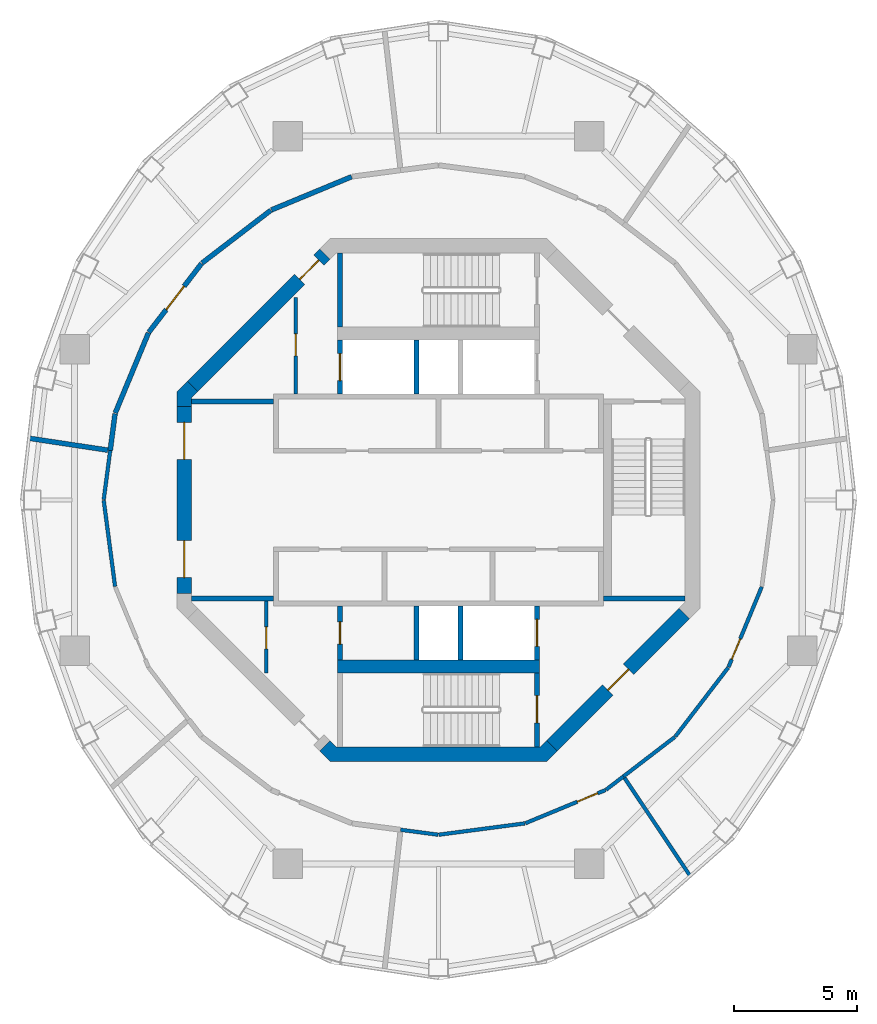
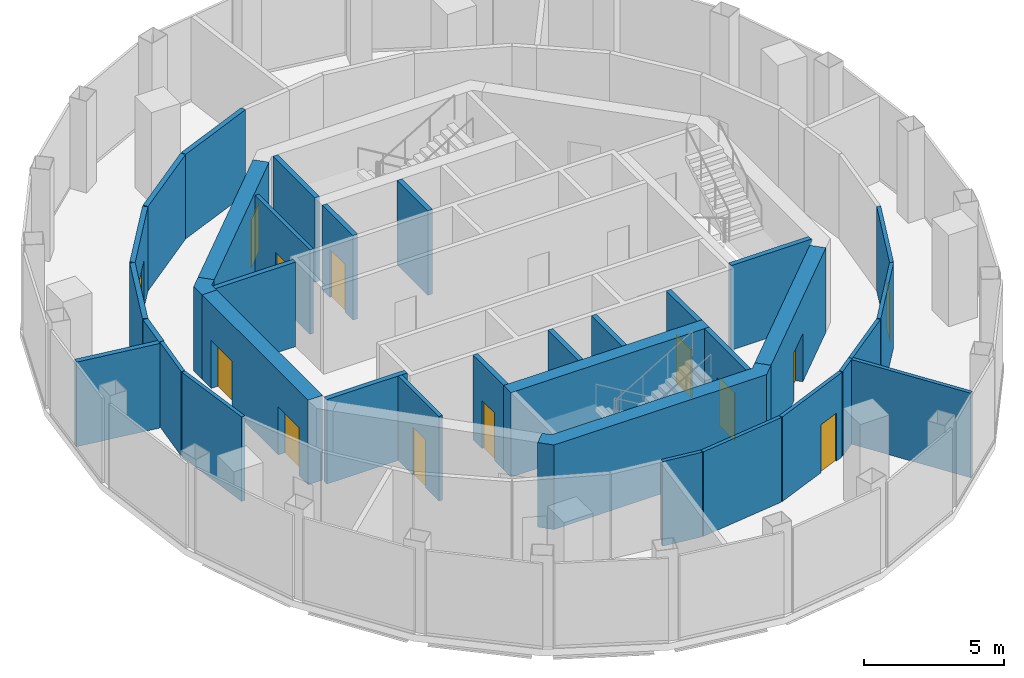
# One storey, part 8 of 11: 35 walls, 13 doors, 13 openings.
"""IFC4 building model written with IfcOpenShell, lengths in metres."""

from ifc_helpers import new_model, si_unit, direction, frame, frame_2d, origin, place, context, subcontext, project, spatial, polyline, rectangle, outline, extrude, material, layer, layer_set, type_object, element, fill, save


model = new_model("IFC4")

# Units and contexts
model_context = context("Model", 3, precision=1e-05, world=origin(), true_north=direction((0.0, 1.0)))
body_context = subcontext(model_context, "Body", "Model", "MODEL_VIEW")
ifc_project = project(units=[si_unit("LENGTHUNIT", "METRE"), si_unit("AREAUNIT", "SQUARE_METRE"), si_unit("VOLUMEUNIT", "CUBIC_METRE"), si_unit("PLANEANGLEUNIT", "RADIAN"), si_unit("MASSUNIT", "GRAM", prefix="KILO")], contexts=[model_context])

# Site, building, storey
site_placement = place(None, origin())
site = spatial("IfcSite", under=ifc_project, at=site_placement, CompositionType="ELEMENT")
building_placement = place(site_placement, origin())
building = spatial("IfcBuilding", under=site, at=building_placement, Name="Nagisa Residences", CompositionType="ELEMENT")
storey_placement = place(building_placement, frame((0.0, 0.0, 332.89990234375)))
storey = spatial("IfcBuildingStorey", under=building, at=storey_placement, Name="L82", CompositionType="ELEMENT", Elevation=332.89990234375)

# Wall, opening, door
ifc_material_1 = material(Name="Gypsum board on steel studs", Category="steel")
ifc_layer_1 = layer(ifc_material_1, 0.14990234375)
ifc_layer_set_1 = layer_set([ifc_layer_1], Name="Core partition 150")
wall_type_1 = type_object("IfcWallType", Name="Core partition 150", PredefinedType="PARTITIONING", material=ifc_layer_set_1)
wall_1_placement = place(storey_placement, frame((-5.800048828125, 4.300048828125, 0.0), z_axis=(0.0, 0.0, 1.0), x_axis=(0.0, 1.0, 0.0)))
wall_1 = element("IfcWall", 1, at=wall_1_placement, inside=storey, type_object=wall_type_1, Name="wall:L82:NWp", PredefinedType="PARTITIONING", context=body_context, shape_type="SweptSolid", body=[
    extrude(rectangle(XDim=3.927001953125, YDim=0.14990234375, at=frame_2d((1.96337890625, 0.0))), origin(), (0.0, 0.0, 1.0), 3.7001953125),
])
opening_1_placement = place(wall_1_placement, frame((1.551025390625, 0.0, 0.0)))
opening_1 = element("IfcOpeningElement", 2, at=opening_1_placement, cuts=wall_1, Name="Opening L82-C07", PredefinedType="OPENING", context=body_context, shape_type="SweptSolid", body=[
    extrude(rectangle(XDim=0.89990234375, YDim=2.10009765625, at=frame_2d((0.449951171875, 1.050048828125))), frame((0.0, 0.0849609375, 0.0), z_axis=(0.0, -1.0, 0.0), x_axis=(1.0, 0.0, 0.0)), (0.0, 0.0, 1.0), 0.169921875),
])
ifc_material_2 = material(Name="Steel fire door", Category="steel")
door_type_1 = type_object("IfcDoorType", Name="Fire door EI30 900x2100 single swing", OperationType="NOTDEFINED", PredefinedType="DOOR", material=ifc_material_2)
door_1_placement = place(opening_1_placement, origin())
door_1 = element("IfcDoor", 3, at=door_1_placement, inside=storey, type_object=door_type_1, Name="Hose reel store door L82", OperationType="SINGLE_SWING_RIGHT", OverallHeight=2.10009765625, OverallWidth=0.89990234375, PredefinedType="DOOR", context=body_context, shape_type="SweptSolid", body=[
    extrude(rectangle(XDim=0.89990234375, YDim=2.10009765625, at=frame_2d((0.449951171875, 1.050048828125))), frame((0.0, 0.02490234375, 0.0), z_axis=(0.0, -1.0, 0.0), x_axis=(1.0, 0.0, 0.0)), (0.0, 0.0, 1.0), 0.050048828125),
])
fill(opening_1, door_1)

wall_2_placement = place(storey_placement, frame((-7.0, -7.02685546875, 0.0), z_axis=(0.0, 0.0, 1.0), x_axis=(0.0, 1.0, 0.0)))
wall_2 = element("IfcWall", 4, at=wall_2_placement, inside=storey, type_object=wall_type_1, Name="wall:L82:SWp", PredefinedType="PARTITIONING", context=body_context, shape_type="SweptSolid", body=[
    extrude(rectangle(XDim=2.9267578125, YDim=0.14990234375, at=frame_2d((1.46337890625, 0.0))), origin(), (0.0, 0.0, 1.0), 3.7001953125),
])
opening_2_placement = place(wall_2_placement, frame((0.97607421875, 0.0, 0.0)))
opening_2 = element("IfcOpeningElement", 5, at=opening_2_placement, cuts=wall_2, Name="Opening L82-C08", PredefinedType="OPENING", context=body_context, shape_type="SweptSolid", body=[
    extrude(rectangle(XDim=0.89990234375, YDim=2.10009765625, at=frame_2d((0.449951171875, 1.050048828125))), frame((0.0, 0.0849609375, 0.0), z_axis=(0.0, -1.0, 0.0), x_axis=(1.0, 0.0, 0.0)), (0.0, 0.0, 1.0), 0.169921875),
])
door_2_placement = place(opening_2_placement, origin())
door_2 = element("IfcDoor", 6, at=door_2_placement, inside=storey, type_object=door_type_1, Name="Valet store door L82", OperationType="SINGLE_SWING_RIGHT", OverallHeight=2.10009765625, OverallWidth=0.89990234375, PredefinedType="DOOR", context=body_context, shape_type="SweptSolid", body=[
    extrude(rectangle(XDim=0.89990234375, YDim=2.10009765625, at=frame_2d((0.449951171875, 1.050048828125))), frame((0.0, 0.02490234375, 0.0), z_axis=(0.0, -1.0, 0.0), x_axis=(1.0, 0.0, 0.0)), (0.0, 0.0, 1.0), 0.050048828125),
])
fill(opening_2, door_2)

# Walls
ifc_material_3 = material(Name="Gypsum board on steel studs", Category="steel")
ifc_layer_2 = layer(ifc_material_3, 0.199951171875)
ifc_layer_set_2 = layer_set([ifc_layer_2], Name="Core partition 200")
wall_type_2 = type_object("IfcWallType", Name="Core partition 200", PredefinedType="PARTITIONING", material=ifc_layer_set_2)
for number, where, z_axis, x_axis, name in (
    (7, (-10.024658203125, -4.0, 0.0), (0.0, 0.0, 1.0), (1.0, 0.0, 0.0), "wall:L82:PSW"),
    (8, (-10.024658203125, 4.0, 0.0), (0.0, 0.0, 1.0), (1.0, 0.0, 0.0), "wall:L82:PNW"),
):
    element("IfcWall", number, at=place(storey_placement, frame(where, z_axis=z_axis, x_axis=x_axis)), inside=storey, type_object=wall_type_2, Name=name, PredefinedType="PARTITIONING", context=body_context, shape_type="SweptSolid", body=[
        extrude(rectangle(XDim=3.32470703125, YDim=0.199951171875, at=frame_2d((1.662353515625, 0.0))), origin(), (0.0, 0.0, 1.0), 3.7001953125),
    ])

# Wall, opening, door
ifc_material_4 = material(Name="Concrete C60", Category="concrete")
ifc_layer_3 = layer(ifc_material_4, 0.60009765625)
ifc_layer_set_3 = layer_set([ifc_layer_3], Name="Core shear wall 600")
wall_type_3 = type_object("IfcWallType", Name="Core shear wall 600", PredefinedType="SHEAR", material=ifc_layer_set_3)
wall_3_placement = place(storey_placement, frame((-4.613037109375, 9.98828125, 0.0), z_axis=(0.0, 0.0, 1.0), x_axis=(-0.707106781187, -0.707106781187, 0.0)))
wall_3 = element("IfcWall", 9, at=wall_3_placement, inside=storey, type_object=wall_type_3, Name="wall:L82:core:flat3", PredefinedType="SHEAR", context=body_context, shape_type="SweptSolid", body=[
    extrude(rectangle(XDim=7.601806640625, YDim=0.60009765625, at=frame_2d((3.80078125, 0.0))), origin(), (0.0, 0.0, 1.0), 3.7001953125),
])
opening_3_placement = place(wall_3_placement, frame((0.350830078125, 0.0, 0.0)))
opening_3 = element("IfcOpeningElement", 10, at=opening_3_placement, cuts=wall_3, Name="Opening L82-C20", PredefinedType="OPENING", context=body_context, shape_type="SweptSolid", body=[
    extrude(rectangle(XDim=1.10009765625, YDim=2.10009765625, at=frame_2d((0.550048828125, 1.050048828125))), frame((0.0, 0.31005859375, 0.0), z_axis=(0.0, -1.0, 0.0), x_axis=(1.0, 0.0, 0.0)), (0.0, 0.0, 1.0), 0.6201171875),
])
ifc_material_5 = material(Name="Steel fire door", Category="steel")
door_type_2 = type_object("IfcDoorType", Name="Fire door EI60 1100x2100 single swing", OperationType="NOTDEFINED", PredefinedType="DOOR", material=ifc_material_5)
door_3_placement = place(opening_3_placement, origin())
door_3 = element("IfcDoor", 11, at=door_3_placement, inside=storey, type_object=door_type_2, Name="Service lobby door L82", OperationType="SINGLE_SWING_RIGHT", OverallHeight=2.10009765625, OverallWidth=1.10009765625, PredefinedType="DOOR", context=body_context, shape_type="SweptSolid", body=[
    extrude(rectangle(XDim=1.10009765625, YDim=2.10009765625, at=frame_2d((0.550048828125, 1.050048828125))), frame((0.0, 0.02490234375, 0.0), z_axis=(0.0, -1.0, 0.0), x_axis=(1.0, 0.0, 0.0)), (0.0, 0.0, 1.0), 0.050048828125),
])
fill(opening_3, door_3)

# Wall, openings, doors
wall_4_placement = place(storey_placement, frame((-10.32470703125, 3.80078125, 0.0), z_axis=(0.0, 0.0, 1.0), x_axis=(0.0, -1.0, 0.0)))
wall_4 = element("IfcWall", 12, at=wall_4_placement, inside=storey, type_object=wall_type_3, Name="wall:L82:core:flat4", PredefinedType="SHEAR", context=body_context, shape_type="SweptSolid", body=[
    extrude(rectangle(XDim=7.6015625, YDim=0.60009765625, at=frame_2d((3.80078125, 0.0))), origin(), (0.0, 0.0, 1.0), 3.7001953125),
])
opening_4_placement = place(wall_4_placement, frame((0.65087890625, 0.0, 0.0)))
opening_4 = element("IfcOpeningElement", 13, at=opening_4_placement, cuts=wall_4, Name="Opening L82-C18", PredefinedType="OPENING", context=body_context, shape_type="SweptSolid", body=[
    extrude(rectangle(XDim=1.5, YDim=2.10009765625, at=frame_2d((0.75, 1.050048828125))), frame((0.0, 0.31005859375, 0.0), z_axis=(0.0, -1.0, 0.0), x_axis=(1.0, 0.0, 0.0)), (0.0, 0.0, 1.0), 0.6201171875),
])
opening_5_placement = place(wall_4_placement, frame((5.450927734375, 0.0, 0.0)))
opening_5 = element("IfcOpeningElement", 14, at=opening_5_placement, cuts=wall_4, Name="Opening L82-C19", PredefinedType="OPENING", context=body_context, shape_type="SweptSolid", body=[
    extrude(rectangle(XDim=1.5, YDim=2.10009765625, at=frame_2d((0.75, 1.050048828125))), frame((0.0, 0.31005859375, 0.0), z_axis=(0.0, -1.0, 0.0), x_axis=(1.0, 0.0, 0.0)), (0.0, 0.0, 1.0), 0.6201171875),
])
ifc_material_6 = material(Name="Steel fire door", Category="steel")
door_type_3 = type_object("IfcDoorType", Name="Fire door EI60 1500x2100 double door single swing", OperationType="DOUBLE_DOOR_SINGLE_SWING", PredefinedType="DOOR", material=ifc_material_6)
door_4_placement = place(opening_4_placement, origin())
door_4 = element("IfcDoor", 15, at=door_4_placement, inside=storey, type_object=door_type_3, Name="Lift lobby door L82 1", OperationType="DOUBLE_DOOR_SINGLE_SWING", OverallHeight=2.10009765625, OverallWidth=1.5, PredefinedType="DOOR", context=body_context, shape_type="SweptSolid", body=[
    extrude(rectangle(XDim=1.5, YDim=2.10009765625, at=frame_2d((0.75, 1.050048828125))), frame((0.0, 0.02490234375, 0.0), z_axis=(0.0, -1.0, 0.0), x_axis=(1.0, 0.0, 0.0)), (0.0, 0.0, 1.0), 0.050048828125),
])
fill(opening_4, door_4)
door_5_placement = place(opening_5_placement, origin())
door_5 = element("IfcDoor", 16, at=door_5_placement, inside=storey, type_object=door_type_3, Name="Lift lobby door L82 2", OperationType="DOUBLE_DOOR_SINGLE_SWING", OverallHeight=2.10009765625, OverallWidth=1.5, PredefinedType="DOOR", context=body_context, shape_type="SweptSolid", body=[
    extrude(rectangle(XDim=1.5, YDim=2.10009765625, at=frame_2d((0.75, 1.050048828125))), frame((0.0, 0.02490234375, 0.0), z_axis=(0.0, -1.0, 0.0), x_axis=(1.0, 0.0, 0.0)), (0.0, 0.0, 1.0), 0.050048828125),
])
fill(opening_5, door_5)

# Wall, opening, door
wall_5_placement = place(storey_placement, frame((4.613037109375, -9.98828125, 0.0), z_axis=(0.0, 0.0, 1.0), x_axis=(0.707106781187, 0.707106781187, 0.0)))
wall_5 = element("IfcWall", 17, at=wall_5_placement, inside=storey, type_object=wall_type_3, Name="wall:L82:core:flat7", PredefinedType="SHEAR", context=body_context, shape_type="SweptSolid", body=[
    extrude(rectangle(XDim=7.601806640625, YDim=0.60009765625, at=frame_2d((3.80078125, 0.0))), origin(), (0.0, 0.0, 1.0), 3.7001953125),
])
opening_6_placement = place(wall_5_placement, frame((3.200927734375, 0.0, 0.0)))
opening_6 = element("IfcOpeningElement", 18, at=opening_6_placement, cuts=wall_5, Name="Opening L82-C17", PredefinedType="OPENING", context=body_context, shape_type="SweptSolid", body=[
    extrude(rectangle(XDim=1.199951171875, YDim=2.10009765625, at=frame_2d((0.60009765625, 1.050048828125))), frame((0.0, 0.31005859375, 0.0), z_axis=(0.0, -1.0, 0.0), x_axis=(1.0, 0.0, 0.0)), (0.0, 0.0, 1.0), 0.6201171875),
])
ifc_material_7 = material(Name="Steel fire door", Category="steel")
door_type_4 = type_object("IfcDoorType", Name="Fire door EI60 1200x2100 single swing", OperationType="NOTDEFINED", PredefinedType="DOOR", material=ifc_material_7)
door_6_placement = place(opening_6_placement, origin())
door_6 = element("IfcDoor", 19, at=door_6_placement, inside=storey, type_object=door_type_4, Name="Firefighting lobby 2 door L82", OperationType="SINGLE_SWING_RIGHT", OverallHeight=2.10009765625, OverallWidth=1.199951171875, PredefinedType="DOOR", context=body_context, shape_type="SweptSolid", body=[
    extrude(rectangle(XDim=1.199951171875, YDim=2.10009765625, at=frame_2d((0.60009765625, 1.050048828125))), frame((0.0, 0.02490234375, 0.0), z_axis=(0.0, -1.0, 0.0), x_axis=(1.0, 0.0, 0.0)), (0.0, 0.0, 1.0), 0.050048828125),
])
fill(opening_6, door_6)

# Walls
wall_6_placement = place(storey_placement, origin())
element("IfcWall", 20, at=wall_6_placement, inside=storey, type_object=wall_type_3, Name="wall:L82:core:pier3", PredefinedType="SHEAR", context=body_context, shape_type="SweptSolid", body=[
    extrude(outline(polyline([(-10.200439453125, 4.8251953125), (-9.776123046875, 4.40087890625), (-10.024658203125, 4.15234375), (-10.024658203125, 3.80078125), (-10.62451171875, 3.80078125), (-10.62451171875, 4.40087890625), (-10.200439453125, 4.8251953125)])), origin(), (0.0, 0.0, 1.0), 3.7001953125),
])
wall_7_placement = place(storey_placement, origin())
element("IfcWall", 21, at=wall_7_placement, inside=storey, type_object=wall_type_3, Name="wall:L82:core:flat6", PredefinedType="SHEAR", context=body_context, shape_type="SweptSolid", body=[
    extrude(outline(polyline([(-4.15234375, -10.024658203125), (4.15234375, -10.024658203125), (4.40087890625, -9.776123046875), (4.8251953125, -10.200439453125), (4.40087890625, -10.62451171875), (-4.40087890625, -10.62451171875), (-4.8251953125, -10.200439453125), (-4.40087890625, -9.776123046875), (-4.15234375, -10.024658203125)])), origin(), (0.0, 0.0, 1.0), 3.7001953125),
])

# Wall, opening, door
ifc_material_8 = material(Name="Concrete C60", Category="concrete")
ifc_layer_4 = layer(ifc_material_8, 0.199951171875)
ifc_layer_set_4 = layer_set([ifc_layer_4], Name="Lift shaft wall 200")
wall_type_4 = type_object("IfcWallType", Name="Lift shaft wall 200", PredefinedType="SOLIDWALL", material=ifc_layer_set_4)
wall_8_placement = place(storey_placement, frame((-4.0, 4.300048828125, 0.0), z_axis=(0.0, 0.0, 1.0), x_axis=(0.0, 1.0, 0.0)))
wall_8 = element("IfcWall", 22, at=wall_8_placement, inside=storey, type_object=wall_type_4, Name="wall:L82:Nb4", PredefinedType="SOLIDWALL", context=body_context, shape_type="SweptSolid", body=[
    extrude(rectangle(XDim=2.199951171875, YDim=0.199951171875, at=frame_2d((1.10009765625, 0.0))), origin(), (0.0, 0.0, 1.0), 3.7001953125),
])
opening_7_placement = place(wall_8_placement, frame((0.550048828125, 0.0, 0.0)))
opening_7 = element("IfcOpeningElement", 23, at=opening_7_placement, cuts=wall_8, Name="Opening L82-C03", PredefinedType="OPENING", context=body_context, shape_type="SweptSolid", body=[
    extrude(rectangle(XDim=1.10009765625, YDim=2.10009765625, at=frame_2d((0.550048828125, 1.050048828125))), frame((0.0, 0.10986328125, 0.0), z_axis=(0.0, -1.0, 0.0), x_axis=(1.0, 0.0, 0.0)), (0.0, 0.0, 1.0), 0.219970703125),
])
ifc_material_9 = material(Name="Stainless steel", Category="steel")
door_type_5 = type_object("IfcDoorType", Name="Lift landing door 1100x2100", OperationType="DOUBLE_DOOR_SLIDING", PredefinedType="DOOR", material=ifc_material_9)
door_7_placement = place(opening_7_placement, origin())
door_7 = element("IfcDoor", 24, at=door_7_placement, inside=storey, type_object=door_type_5, Name="Landing door SV L82", OperationType="DOUBLE_DOOR_SLIDING", OverallHeight=2.10009765625, OverallWidth=1.10009765625, PredefinedType="DOOR", context=body_context, shape_type="SweptSolid", body=[
    extrude(rectangle(XDim=1.10009765625, YDim=2.10009765625, at=frame_2d((0.550048828125, 1.050048828125))), frame((0.0, 0.02490234375, 0.0), z_axis=(0.0, -1.0, 0.0), x_axis=(1.0, 0.0, 0.0)), (0.0, 0.0, 1.0), 0.050048828125),
])
fill(opening_7, door_7)

wall_9_placement = place(storey_placement, frame((4.0, -6.5, 0.0), z_axis=(0.0, 0.0, 1.0), x_axis=(0.0, 1.0, 0.0)))
wall_9 = element("IfcWall", 25, at=wall_9_placement, inside=storey, type_object=wall_type_4, Name="wall:L82:Sb3", PredefinedType="SOLIDWALL", context=body_context, shape_type="SweptSolid", body=[
    extrude(rectangle(XDim=2.199951171875, YDim=0.199951171875, at=frame_2d((1.10009765625, 0.0))), origin(), (0.0, 0.0, 1.0), 3.7001953125),
])
opening_8_placement = place(wall_9_placement, frame((0.550048828125, 0.0, 0.0)))
opening_8 = element("IfcOpeningElement", 26, at=opening_8_placement, cuts=wall_9, Name="Opening L82-C02", PredefinedType="OPENING", context=body_context, shape_type="SweptSolid", body=[
    extrude(rectangle(XDim=1.10009765625, YDim=2.10009765625, at=frame_2d((0.550048828125, 1.050048828125))), frame((0.0, 0.10986328125, 0.0), z_axis=(0.0, -1.0, 0.0), x_axis=(1.0, 0.0, 0.0)), (0.0, 0.0, 1.0), 0.219970703125),
])
door_8_placement = place(opening_8_placement, origin())
door_8 = element("IfcDoor", 27, at=door_8_placement, inside=storey, type_object=door_type_5, Name="Landing door FL2 L82", OperationType="DOUBLE_DOOR_SLIDING", OverallHeight=2.10009765625, OverallWidth=1.10009765625, PredefinedType="DOOR", context=body_context, shape_type="SweptSolid", body=[
    extrude(rectangle(XDim=1.10009765625, YDim=2.10009765625, at=frame_2d((0.550048828125, 1.050048828125))), frame((0.0, 0.02490234375, 0.0), z_axis=(0.0, -1.0, 0.0), x_axis=(1.0, 0.0, 0.0)), (0.0, 0.0, 1.0), 0.050048828125),
])
fill(opening_8, door_8)

wall_10_placement = place(storey_placement, frame((-4.0, -6.5, 0.0), z_axis=(0.0, 0.0, 1.0), x_axis=(0.0, 1.0, 0.0)))
wall_10 = element("IfcWall", 28, at=wall_10_placement, inside=storey, type_object=wall_type_4, Name="wall:L82:Sb4", PredefinedType="SOLIDWALL", context=body_context, shape_type="SweptSolid", body=[
    extrude(rectangle(XDim=2.199951171875, YDim=0.199951171875, at=frame_2d((1.10009765625, 0.0))), origin(), (0.0, 0.0, 1.0), 3.7001953125),
])
opening_9_placement = place(wall_10_placement, frame((0.64990234375, 0.0, 0.0)))
opening_9 = element("IfcOpeningElement", 29, at=opening_9_placement, cuts=wall_10, Name="Opening L82-C09", PredefinedType="OPENING", context=body_context, shape_type="SweptSolid", body=[
    extrude(rectangle(XDim=0.89990234375, YDim=2.10009765625, at=frame_2d((0.449951171875, 1.050048828125))), frame((0.0, 0.10986328125, 0.0), z_axis=(0.0, -1.0, 0.0), x_axis=(1.0, 0.0, 0.0)), (0.0, 0.0, 1.0), 0.219970703125),
])
door_9_placement = place(opening_9_placement, frame((0.89990234375, 0.0, 0.0), x_axis=(-1.0, 0.0, 0.0)))
door_9 = element("IfcDoor", 30, at=door_9_placement, inside=storey, type_object=door_type_1, Name="Refuse room door L82", OperationType="SINGLE_SWING_RIGHT", OverallHeight=2.10009765625, OverallWidth=0.89990234375, PredefinedType="DOOR", context=body_context, shape_type="SweptSolid", body=[
    extrude(rectangle(XDim=0.89990234375, YDim=2.10009765625, at=frame_2d((0.449951171875, 1.050048828125))), frame((0.0, 0.02490234375, 0.0), z_axis=(0.0, -1.0, 0.0), x_axis=(1.0, 0.0, 0.0)), (0.0, 0.0, 1.0), 0.050048828125),
])
fill(opening_9, door_9)

# Walls
for number, where, z_axis, x_axis, name in (
    (31, (-0.89990234375, -6.5, 0.0), (0.0, 0.0, 1.0), (0.0, 1.0, 0.0), "wall:L82:Sb1"),
    (32, (0.89990234375, -6.5, 0.0), (0.0, 0.0, 1.0), (0.0, 1.0, 0.0), "wall:L82:Sb2"),
    (33, (-0.89990234375, 4.300048828125, 0.0), (0.0, 0.0, 1.0), (0.0, 1.0, 0.0), "wall:L82:Nb1"),
):
    element("IfcWall", number, at=place(storey_placement, frame(where, z_axis=z_axis, x_axis=x_axis)), inside=storey, type_object=wall_type_4, Name=name, PredefinedType="SOLIDWALL", context=body_context, shape_type="SweptSolid", body=[
        extrude(rectangle(XDim=2.199951171875, YDim=0.199951171875, at=frame_2d((1.10009765625, 0.0))), origin(), (0.0, 0.0, 1.0), 3.7001953125),
    ])
ifc_material_10 = material(Name="Gypsum board on steel studs", Category="steel")
ifc_layer_5 = layer(ifc_material_10, 0.199951171875)
ifc_layer_set_5 = layer_set([ifc_layer_5], Name="Plant room wall EI120 200")
wall_type_5 = type_object("IfcWallType", Name="Plant room wall EI120 200", PredefinedType="PARTITIONING", material=ifc_layer_set_5)
wall_11_placement = place(storey_placement, frame((-16.61181640625, 2.504638671875, 0.0), z_axis=(0.0, 0.0, 1.0), x_axis=(0.988817905908, -0.149127961685, 0.0)))
element("IfcWall", 34, at=wall_11_placement, inside=storey, type_object=wall_type_5, Name="wall:L82:am014", PredefinedType="PARTITIONING", context=body_context, shape_type="SweptSolid", body=[
    extrude(rectangle(XDim=3.213623046875, YDim=0.199951171875, at=frame_2d((1.60693359375, 0.0))), origin(), (0.0, 0.0, 1.0), 3.7001953125),
])
wall_12_placement = place(storey_placement, frame((-13.335205078125, 2.010498046875, 0.0), z_axis=(0.0, 0.0, 1.0), x_axis=(0.130391662061, 0.99146256332, 0.0)))
element("IfcWall", 35, at=wall_12_placement, inside=storey, type_object=wall_type_5, Name="wall:L82:am015", PredefinedType="PARTITIONING", context=body_context, shape_type="SweptSolid", body=[
    extrude(rectangle(XDim=1.50732421875, YDim=0.199951171875, at=frame_2d((0.753662109375, 0.0))), origin(), (0.0, 0.0, 1.0), 3.7001953125),
])
wall_13_placement = place(storey_placement, frame((-13.130859375, 3.533935546875, 0.0), z_axis=(0.0, 0.0, 1.0), x_axis=(0.382723413813, 0.92386297064, 0.0)))
element("IfcWall", 36, at=wall_13_placement, inside=storey, type_object=wall_type_5, Name="wall:L82:am016", PredefinedType="PARTITIONING", context=body_context, shape_type="SweptSolid", body=[
    extrude(rectangle(XDim=3.52001953125, YDim=0.199951171875, at=frame_2d((1.760009765625, 0.0))), origin(), (0.0, 0.0, 1.0), 3.7001953125),
])

# Wall, opening, door
wall_14_placement = place(storey_placement, frame((-11.7685546875, 6.81201171875, 0.0), z_axis=(0.0, 0.0, 1.0), x_axis=(0.608697977542, 0.793402024283, 0.0)))
wall_14 = element("IfcWall", 37, at=wall_14_placement, inside=storey, type_object=wall_type_5, Name="wall:L82:am017", PredefinedType="PARTITIONING", context=body_context, shape_type="SweptSolid", body=[
    extrude(rectangle(XDim=3.52001953125, YDim=0.199951171875, at=frame_2d((1.760009765625, 0.0))), origin(), (0.0, 0.0, 1.0), 3.7001953125),
])
opening_10_placement = place(wall_14_placement, frame((1.159912109375, 0.0, 0.0)))
opening_10 = element("IfcOpeningElement", 38, at=opening_10_placement, cuts=wall_14, Name="Opening L82-A03", PredefinedType="OPENING", context=body_context, shape_type="SweptSolid", body=[
    extrude(rectangle(XDim=1.199951171875, YDim=2.10009765625, at=frame_2d((0.60009765625, 1.050048828125))), frame((0.0, 0.10986328125, 0.0), z_axis=(0.0, -1.0, 0.0), x_axis=(1.0, 0.0, 0.0)), (0.0, 0.0, 1.0), 0.219970703125),
])
ifc_material_11 = material(Name="Steel fire door", Category="steel")
door_type_6 = type_object("IfcDoorType", Name="Fire door EI120 1200x2100 single swing", OperationType="NOTDEFINED", PredefinedType="DOOR", material=ifc_material_11)
door_10_placement = place(opening_10_placement, frame((1.199951171875, 0.0, 0.0), x_axis=(-1.0, 0.0, 0.0)))
door_10 = element("IfcDoor", 39, at=door_10_placement, inside=storey, type_object=door_type_6, Name="Boiler room door", OperationType="SINGLE_SWING_RIGHT", OverallHeight=2.10009765625, OverallWidth=1.199951171875, PredefinedType="DOOR", context=body_context, shape_type="SweptSolid", body=[
    extrude(rectangle(XDim=1.199951171875, YDim=2.10009765625, at=frame_2d((0.60009765625, 1.050048828125))), frame((0.0, 0.02490234375, 0.0), z_axis=(0.0, -1.0, 0.0), x_axis=(1.0, 0.0, 0.0)), (0.0, 0.0, 1.0), 0.050048828125),
])
fill(opening_10, door_10)

# Walls
for number, where, z_axis, x_axis, name in (
    (40, (-9.604736328125, 9.6259765625, 0.0), (0.0, 0.0, 1.0), (0.793402024283, 0.608697977542, 0.0), "wall:L82:am020"),
    (41, (-6.785888671875, 11.78369140625, 0.0), (0.0, 0.0, 1.0), (0.92386297064, 0.382723413813, 0.0), "wall:L82:am022"),
):
    element("IfcWall", number, at=place(storey_placement, frame(where, z_axis=z_axis, x_axis=x_axis)), inside=storey, type_object=wall_type_5, Name=name, PredefinedType="PARTITIONING", context=body_context, shape_type="SweptSolid", body=[
        extrude(rectangle(XDim=3.52001953125, YDim=0.199951171875, at=frame_2d((1.760009765625, 0.0))), origin(), (0.0, 0.0, 1.0), 3.7001953125),
    ])
ifc_material_12 = material(Name="Gypsum board on steel studs", Category="steel")
ifc_layer_6 = layer(ifc_material_12, 0.14990234375)
ifc_layer_set_6 = layer_set([ifc_layer_6], Name="Room partition EI60 150")
wall_type_6 = type_object("IfcWallType", Name="Room partition EI60 150", PredefinedType="PARTITIONING", material=ifc_layer_set_6)
wall_15_placement = place(storey_placement, frame((-13.598388671875, 0.01171875, 0.0), z_axis=(0.0, 0.0, 1.0), x_axis=(0.130545357325, 0.991442338051, 0.0)))
element("IfcWall", 42, at=wall_15_placement, inside=storey, type_object=wall_type_6, Name="wall:L82:am000", PredefinedType="PARTITIONING", context=body_context, shape_type="SweptSolid", body=[
    extrude(rectangle(XDim=2.01611328125, YDim=0.14990234375, at=frame_2d((1.008056640625, 0.0))), origin(), (0.0, 0.0, 1.0), 3.7001953125),
])
wall_16_placement = place(storey_placement, frame((-13.13818359375, -3.508056640625, 0.0), z_axis=(0.0, 0.0, 1.0), x_axis=(-0.130499283623, 0.991448403586, 0.0)))
element("IfcWall", 43, at=wall_16_placement, inside=storey, type_object=wall_type_6, Name="wall:L82:am001", PredefinedType="PARTITIONING", context=body_context, shape_type="SweptSolid", body=[
    extrude(rectangle(XDim=3.526611328125, YDim=0.14990234375, at=frame_2d((1.76318359375, 0.0))), origin(), (0.0, 0.0, 1.0), 3.7001953125),
])
wall_17_placement = place(storey_placement, frame((-0.01171875, -13.598388671875, 0.0), z_axis=(0.0, 0.0, 1.0), x_axis=(-0.991446737275, 0.130511942543, 0.0)))
element("IfcWall", 44, at=wall_17_placement, inside=storey, type_object=wall_type_6, Name="wall:L82:am004", PredefinedType="PARTITIONING", context=body_context, shape_type="SweptSolid", body=[
    extrude(rectangle(XDim=1.53955078125, YDim=0.14990234375, at=frame_2d((0.769775390625, 0.0))), origin(), (0.0, 0.0, 1.0), 3.7001953125),
])
wall_18_placement = place(storey_placement, frame((3.508056640625, -13.13818359375, 0.0), z_axis=(0.0, 0.0, 1.0), x_axis=(-0.991448403586, -0.130499283623, 0.0)))
element("IfcWall", 45, at=wall_18_placement, inside=storey, type_object=wall_type_6, Name="wall:L82:am005", PredefinedType="PARTITIONING", context=body_context, shape_type="SweptSolid", body=[
    extrude(rectangle(XDim=3.526611328125, YDim=0.14990234375, at=frame_2d((1.76318359375, 0.0))), origin(), (0.0, 0.0, 1.0), 3.7001953125),
])

# Wall, opening, door
wall_19_placement = place(storey_placement, frame((6.7890625, -11.782470703125, 0.0), z_axis=(0.0, 0.0, 1.0), x_axis=(-0.923881838111, -0.382677866108, 0.0)))
wall_19 = element("IfcWall", 46, at=wall_19_placement, inside=storey, type_object=wall_type_6, Name="wall:L82:am006", PredefinedType="PARTITIONING", context=body_context, shape_type="SweptSolid", body=[
    extrude(rectangle(XDim=3.52685546875, YDim=0.14990234375, at=frame_2d((1.763427734375, 0.0))), origin(), (0.0, 0.0, 1.0), 3.7001953125),
])
opening_11_placement = place(wall_19_placement, frame((0.345703125, 0.0, 0.0)))
opening_11 = element("IfcOpeningElement", 47, at=opening_11_placement, cuts=wall_19, Name="Opening L82-A06", PredefinedType="OPENING", context=body_context, shape_type="SweptSolid", body=[
    extrude(rectangle(XDim=0.89990234375, YDim=2.10009765625, at=frame_2d((0.449951171875, 1.050048828125))), frame((0.0, 0.0849609375, 0.0), z_axis=(0.0, -1.0, 0.0), x_axis=(1.0, 0.0, 0.0)), (0.0, 0.0, 1.0), 0.169921875),
])
door_11_placement = place(opening_11_placement, origin())
door_11 = element("IfcDoor", 48, at=door_11_placement, inside=storey, type_object=door_type_1, Name="Fuel store door", OperationType="SINGLE_SWING_RIGHT", OverallHeight=2.10009765625, OverallWidth=0.89990234375, PredefinedType="DOOR", context=body_context, shape_type="SweptSolid", body=[
    extrude(rectangle(XDim=0.89990234375, YDim=2.10009765625, at=frame_2d((0.449951171875, 1.050048828125))), frame((0.0, 0.02490234375, 0.0), z_axis=(0.0, -1.0, 0.0), x_axis=(1.0, 0.0, 0.0)), (0.0, 0.0, 1.0), 0.050048828125),
])
fill(opening_11, door_11)

# Walls
wall_20_placement = place(storey_placement, frame((7.5166015625, -11.22802734375, 0.0), z_axis=(0.0, 0.0, 1.0), x_axis=(-0.79334623579, -0.608770687663, 0.0)))
element("IfcWall", 49, at=wall_20_placement, inside=storey, type_object=wall_type_6, Name="wall:L82:am007", PredefinedType="PARTITIONING", context=body_context, shape_type="SweptSolid", body=[
    extrude(rectangle(XDim=0.8916015625, YDim=0.14990234375, at=frame_2d((0.44580078125, 0.0))), origin(), (0.0, 0.0, 1.0), 3.7001953125),
])
wall_21_placement = place(storey_placement, frame((7.558349609375, -11.29052734375, 0.0), z_axis=(0.0, 0.0, 1.0), x_axis=(0.55629544905, -0.830984580703, 0.0)))
element("IfcWall", 50, at=wall_21_placement, inside=storey, type_object=wall_type_6, Name="wall:L82:am008", PredefinedType="PARTITIONING", context=body_context, shape_type="SweptSolid", body=[
    extrude(rectangle(XDim=4.764892578125, YDim=0.14990234375, at=frame_2d((2.38232421875, 0.0))), origin(), (0.0, 0.0, 1.0), 3.7001953125),
])
wall_22_placement = place(storey_placement, frame((9.607177734375, -9.6240234375, 0.0), z_axis=(0.0, 0.0, 1.0), x_axis=(-0.793381127635, -0.608725214126, 0.0)))
element("IfcWall", 51, at=wall_22_placement, inside=storey, type_object=wall_type_6, Name="wall:L82:am009", PredefinedType="PARTITIONING", context=body_context, shape_type="SweptSolid", body=[
    extrude(rectangle(XDim=2.635009765625, YDim=0.14990234375, at=frame_2d((1.3173828125, 0.0))), origin(), (0.0, 0.0, 1.0), 3.7001953125),
])
wall_23_placement = place(storey_placement, frame((11.770751953125, -6.809326171875, 0.0), z_axis=(0.0, 0.0, 1.0), x_axis=(-0.608736710054, -0.793372307201, 0.0)))
element("IfcWall", 52, at=wall_23_placement, inside=storey, type_object=wall_type_6, Name="wall:L82:am010", PredefinedType="PARTITIONING", context=body_context, shape_type="SweptSolid", body=[
    extrude(rectangle(XDim=3.526611328125, YDim=0.14990234375, at=frame_2d((1.76318359375, 0.0))), origin(), (0.0, 0.0, 1.0), 3.7001953125),
])

# Wall, opening, door
wall_24_placement = place(storey_placement, frame((13.132080078125, -3.53076171875, 0.0), z_axis=(0.0, 0.0, 1.0), x_axis=(-0.382677866108, -0.923881838111, 0.0)))
wall_24 = element("IfcWall", 53, at=wall_24_placement, inside=storey, type_object=wall_type_6, Name="wall:L82:am011", PredefinedType="PARTITIONING", context=body_context, shape_type="SweptSolid", body=[
    extrude(rectangle(XDim=3.52685546875, YDim=0.14990234375, at=frame_2d((1.763427734375, 0.0))), origin(), (0.0, 0.0, 1.0), 3.7001953125),
])
opening_12_placement = place(wall_24_placement, frame((2.281005859375, 0.0, 0.0)))
opening_12 = element("IfcOpeningElement", 54, at=opening_12_placement, cuts=wall_24, Name="Opening L82-A07", PredefinedType="OPENING", context=body_context, shape_type="SweptSolid", body=[
    extrude(rectangle(XDim=0.89990234375, YDim=2.10009765625, at=frame_2d((0.449951171875, 1.050048828125))), frame((0.0, 0.0849609375, 0.0), z_axis=(0.0, -1.0, 0.0), x_axis=(1.0, 0.0, 0.0)), (0.0, 0.0, 1.0), 0.169921875),
])
door_12_placement = place(opening_12_placement, origin())
door_12 = element("IfcDoor", 55, at=door_12_placement, inside=storey, type_object=door_type_1, Name="Plant tool store door", OperationType="SINGLE_SWING_LEFT", OverallHeight=2.10009765625, OverallWidth=0.89990234375, PredefinedType="DOOR", context=body_context, shape_type="SweptSolid", body=[
    extrude(rectangle(XDim=0.89990234375, YDim=2.10009765625, at=frame_2d((0.449951171875, 1.050048828125))), frame((0.0, 0.02490234375, 0.0), z_axis=(0.0, -1.0, 0.0), x_axis=(1.0, 0.0, 0.0)), (0.0, 0.0, 1.0), 0.050048828125),
])
fill(opening_12, door_12)

ifc_material_13 = material(Name="Concrete C60", Category="concrete")
ifc_layer_7 = layer(ifc_material_13, 0.199951171875)
ifc_layer_set_7 = layer_set([ifc_layer_7], Name="Stair enclosure wall 200")
wall_type_7 = type_object("IfcWallType", Name="Stair enclosure wall 200", PredefinedType="SOLIDWALL", material=ifc_layer_set_7)
wall_25_placement = place(storey_placement, frame((4.0, -10.024658203125, 0.0), z_axis=(0.0, 0.0, 1.0), x_axis=(0.0, 1.0, 0.0)))
wall_25 = element("IfcWall", 56, at=wall_25_placement, inside=storey, type_object=wall_type_7, Name="wall:L82:SS_e", PredefinedType="SOLIDWALL", context=body_context, shape_type="SweptSolid", body=[
    extrude(rectangle(XDim=3.0, YDim=0.199951171875, at=frame_2d((1.5, 0.0))), origin(), (0.0, 0.0, 1.0), 3.7001953125),
])
opening_13_placement = place(wall_25_placement, frame((0.974609375, 0.0, 0.0)))
opening_13 = element("IfcOpeningElement", 57, at=opening_13_placement, cuts=wall_25, Name="Opening L82-C06", PredefinedType="OPENING", context=body_context, shape_type="SweptSolid", body=[
    extrude(rectangle(XDim=1.10009765625, YDim=2.10009765625, at=frame_2d((0.550048828125, 1.050048828125))), frame((0.0, 0.10986328125, 0.0), z_axis=(0.0, -1.0, 0.0), x_axis=(1.0, 0.0, 0.0)), (0.0, 0.0, 1.0), 0.219970703125),
])
ifc_material_14 = material(Name="Steel fire door", Category="steel")
door_type_7 = type_object("IfcDoorType", Name="Fire door EI90 1100x2100 single swing", OperationType="NOTDEFINED", PredefinedType="DOOR", material=ifc_material_14)
door_13_placement = place(opening_13_placement, origin())
door_13 = element("IfcDoor", 58, at=door_13_placement, inside=storey, type_object=door_type_7, Name="Stair door ST-S L82", OperationType="SINGLE_SWING_RIGHT", OverallHeight=2.10009765625, OverallWidth=1.10009765625, PredefinedType="DOOR", context=body_context, shape_type="SweptSolid", body=[
    extrude(rectangle(XDim=1.10009765625, YDim=2.10009765625, at=frame_2d((0.550048828125, 1.050048828125))), frame((0.0, 0.02490234375, 0.0), z_axis=(0.0, -1.0, 0.0), x_axis=(1.0, 0.0, 0.0)), (0.0, 0.0, 1.0), 0.050048828125),
])
fill(opening_13, door_13)

# Walls
wall_26_placement = place(storey_placement, origin())
element("IfcWall", 59, at=wall_26_placement, inside=storey, type_object=wall_type_7, Name="wall:L82:SN_w", PredefinedType="SOLIDWALL", context=body_context, shape_type="SweptSolid", body=[
    extrude(outline(polyline([(-3.89990234375, 7.024658203125), (-4.10009765625, 7.024658203125), (-4.10009765625, 10.024658203125), (-3.89990234375, 10.024658203125), (-3.89990234375, 7.024658203125)])), origin(), (0.0, 0.0, 1.0), 3.7001953125),
])
wall_27_placement = place(storey_placement, origin())
element("IfcWall", 60, at=wall_27_placement, inside=storey, type_object=wall_type_7, Name="wall:L82:SS_n", PredefinedType="SOLIDWALL", context=body_context, shape_type="SweptSolid", body=[
    extrude(outline(polyline([(4.10009765625, -7.024658203125), (-4.10009765625, -7.024658203125), (-4.10009765625, -6.5), (4.10009765625, -6.5), (4.10009765625, -7.024658203125)])), origin(), (0.0, 0.0, 1.0), 3.7001953125),
])
wall_28_placement = place(storey_placement, origin())
element("IfcWall", 61, at=wall_28_placement, inside=storey, type_object=wall_type_7, Name="wall:L82:SE_s", PredefinedType="SOLIDWALL", context=body_context, shape_type="SweptSolid", body=[
    extrude(outline(polyline([(10.024658203125, -4.10009765625), (6.699951171875, -4.10009765625), (6.699951171875, -3.89990234375), (10.024658203125, -3.89990234375), (10.024658203125, -4.10009765625)])), origin(), (0.0, 0.0, 1.0), 3.7001953125),
])

save(model, "model.ifc")
